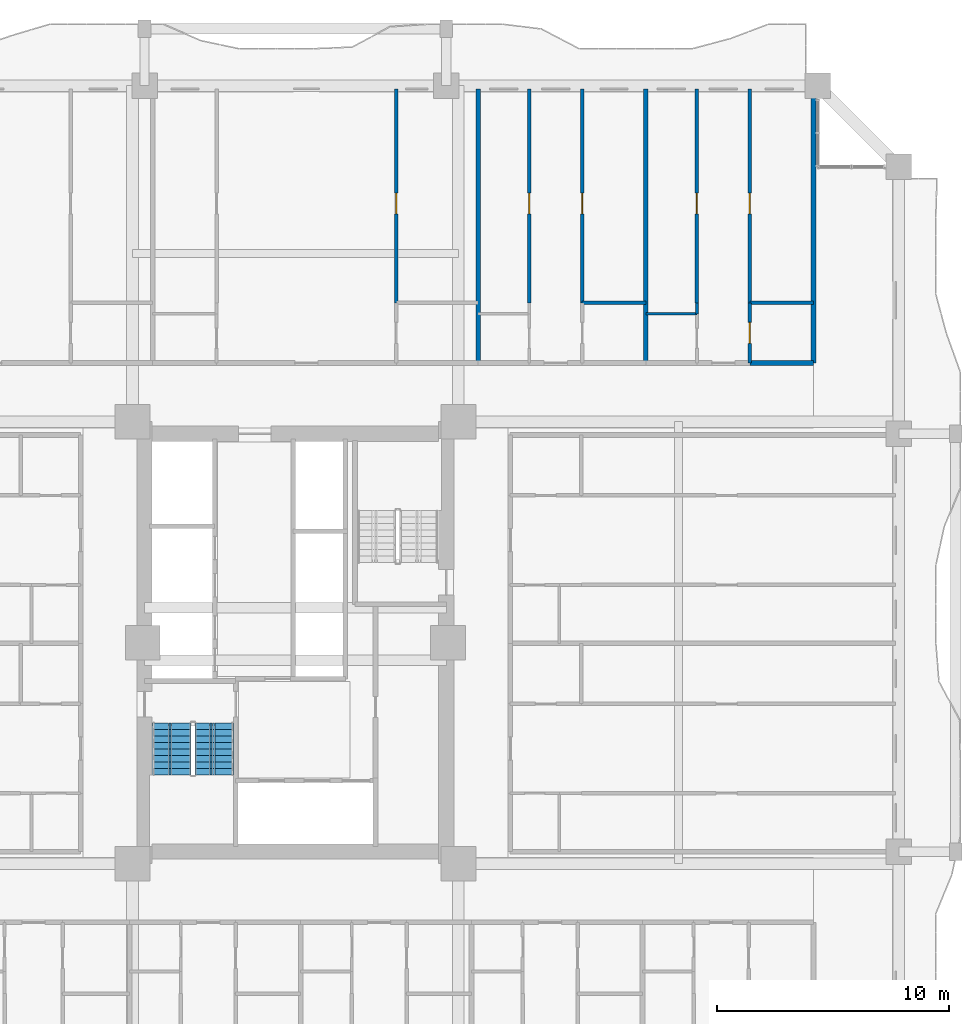
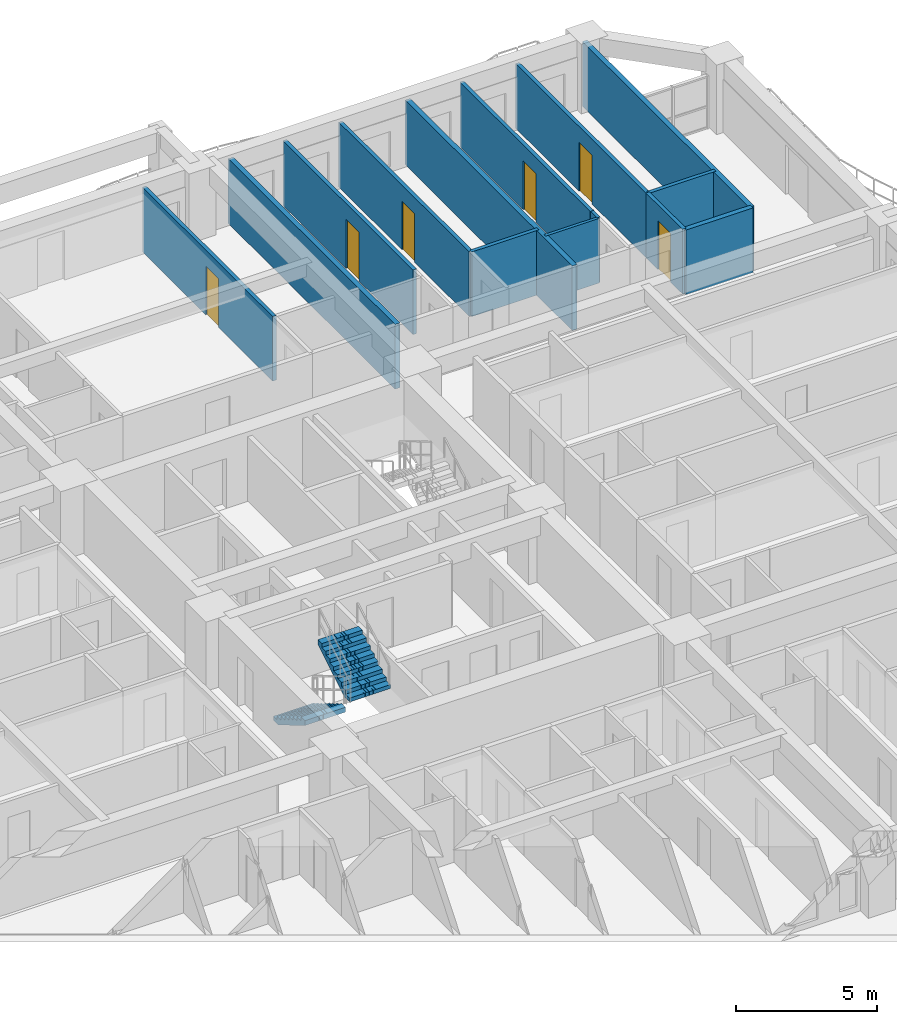
# One storey, part 21 of 28: 14 walls, 6 doors, 2 stair flights, 6 openings, 1 element without a shape of its own.
"""IFC4 building model written with IfcOpenShell, lengths in metres."""

from ifc_helpers import new_model, si_unit, direction, frame, frame_2d, origin, place, context, subcontext, project, spatial, polyline, rectangle, outline, extrude, source, transform, mapped, material, layer, layer_set, type_object, element, fill, aggregate, save


model = new_model("IFC4")

# Units and contexts
model_context = context("Model", 3, precision=1e-05, world=origin(), true_north=direction((0.0, 1.0)))
body_context = subcontext(model_context, "Body", "Model", "MODEL_VIEW")
ifc_project = project(units=[si_unit("LENGTHUNIT", "METRE"), si_unit("AREAUNIT", "SQUARE_METRE"), si_unit("VOLUMEUNIT", "CUBIC_METRE"), si_unit("PLANEANGLEUNIT", "RADIAN"), si_unit("MASSUNIT", "GRAM", prefix="KILO")], contexts=[model_context])

# Site, building, storey
site_placement = place(None, origin())
site = spatial("IfcSite", under=ifc_project, at=site_placement, CompositionType="ELEMENT")
building_placement = place(site_placement, origin())
building = spatial("IfcBuilding", under=site, at=building_placement, Name="Saelheon Loggia Tower", CompositionType="ELEMENT")
storey_placement = place(building_placement, frame((0.0, 0.0, 25.39990234375)))
storey = spatial("IfcBuildingStorey", under=building, at=storey_placement, Name="L07", CompositionType="ELEMENT", Elevation=25.39990234375)

# Wall, opening, door
ifc_material_1 = material(Name="Lightweight Autoclaved Aerated Concrete Block and Acoustic Gypsum", Category="concrete")
ifc_layer_1 = layer(ifc_material_1, 0.14990234375)
ifc_layer_set_1 = layer_set([ifc_layer_1], Name="Lightweight Autoclaved Aerated Concrete Block and Acoustic Gypsum")
wall_type_1 = type_object("IfcWallType", Name="Wall_Part_150", PredefinedType="PARTITIONING", material=ifc_layer_set_1)
wall_1_placement = place(storey_placement, frame((42.344482421875, 41.639892578125, 0.0), z_axis=(0.0, 0.0, 1.0), x_axis=(0.0, 1.0, 0.0)))
wall_1 = element("IfcWall", 1, at=wall_1_placement, inside=storey, type_object=wall_type_1, Name="L07 N Partition U25", PredefinedType="PARTITIONING", context=body_context, shape_type="SweptSolid", body=[
    extrude(rectangle(XDim=9.210205078125, YDim=0.14990234375, at=frame_2d((4.60498046875, 0.0))), origin(), (0.0, 0.0, 1.0), 2.7900390625),
])
opening_1_placement = place(wall_1_placement, frame((3.82861328125, 0.0, 0.0)))
opening_1 = element("IfcOpeningElement", 2, at=opening_1_placement, cuts=wall_1, Name="Opening D-IN2", PredefinedType="OPENING", context=body_context, shape_type="SweptSolid", body=[
    extrude(rectangle(XDim=0.89990234375, YDim=2.10009765625, at=frame_2d((0.449951171875, 1.050048828125))), frame((0.0, 0.0869140625, 0.0), z_axis=(0.0, -1.0, 0.0), x_axis=(1.0, 0.0, 0.0)), (0.0, 0.0, 1.0), 0.173828125),
])
ifc_material_2 = material(Name="Engineered Oak Flush Door", Category="timber")
door_type = type_object("IfcDoorType", Name="Door_Int_900", OperationType="NOTDEFINED", PredefinedType="DOOR", material=ifc_material_2)
shared_shape = source(origin(), body_context, "Body", "SweptSolid", [
    extrude(rectangle(XDim=0.89990234375, YDim=2.10009765625, at=frame_2d((0.449951171875, 1.050048828125))), frame((0.0, 0.02490234375, 0.0), z_axis=(0.0, -1.0, 0.0), x_axis=(1.0, 0.0, 0.0)), (0.0, 0.0, 1.0), 0.050048828125),
])
door_1_placement = place(opening_1_placement, origin())
door_1 = element("IfcDoor", 3, at=door_1_placement, inside=storey, type_object=door_type, Name="Unit U08 Bedroom 1 Door", OperationType="SINGLE_SWING_LEFT", OverallHeight=2.10009765625, OverallWidth=0.89990234375, PredefinedType="DOOR", context=body_context, shape_type="MappedRepresentation", body=[
    mapped(shared_shape, transform((0.0, 0.0, 0.0), scale=1.0)),
])
fill(opening_1, door_1)

# Wall
wall_2_placement = place(storey_placement, frame((50.351806640625, 41.639892578125, 0.0), z_axis=(0.0, 0.0, 1.0), x_axis=(1.0, 0.0, 0.0)))
element("IfcWall", 4, at=wall_2_placement, inside=storey, type_object=wall_type_1, Name="L07 N Partition V31", PredefinedType="PARTITIONING", context=body_context, shape_type="SweptSolid", body=[
    extrude(rectangle(XDim=2.744873046875, YDim=0.14990234375, at=frame_2d((1.37255859375, 0.0))), origin(), (0.0, 0.0, 1.0), 2.7900390625),
])

# Wall, opening, door
wall_3_placement = place(storey_placement, frame((48.073486328125, 41.639892578125, 0.0), z_axis=(0.0, 0.0, 1.0), x_axis=(0.0, 1.0, 0.0)))
wall_3 = element("IfcWall", 5, at=wall_3_placement, inside=storey, type_object=wall_type_1, Name="L07 N Partition U34", PredefinedType="PARTITIONING", context=body_context, shape_type="SweptSolid", body=[
    extrude(rectangle(XDim=9.210205078125, YDim=0.14990234375, at=frame_2d((4.60498046875, 0.0))), origin(), (0.0, 0.0, 1.0), 2.7900390625),
])
opening_2_placement = place(wall_3_placement, frame((3.82861328125, 0.0, 0.0)))
opening_2 = element("IfcOpeningElement", 6, at=opening_2_placement, cuts=wall_3, Name="Opening D-IN2", PredefinedType="OPENING", context=body_context, shape_type="SweptSolid", body=[
    extrude(rectangle(XDim=0.89990234375, YDim=2.10009765625, at=frame_2d((0.449951171875, 1.050048828125))), frame((0.0, 0.0869140625, 0.0), z_axis=(0.0, -1.0, 0.0), x_axis=(1.0, 0.0, 0.0)), (0.0, 0.0, 1.0), 0.173828125),
])
door_2_placement = place(opening_2_placement, origin())
door_2 = element("IfcDoor", 7, at=door_2_placement, inside=storey, type_object=door_type, Name="Unit U09 Kitchen Door", OperationType="SINGLE_SWING_RIGHT", OverallHeight=2.10009765625, OverallWidth=0.89990234375, PredefinedType="DOOR", context=body_context, shape_type="MappedRepresentation", body=[
    mapped(shared_shape, transform((0.0, 0.0, 0.0), scale=1.0)),
])
fill(opening_2, door_2)

wall_4_placement = place(storey_placement, frame((50.351806640625, 41.639892578125, 0.0), z_axis=(0.0, 0.0, 1.0), x_axis=(0.0, 1.0, 0.0)))
wall_4 = element("IfcWall", 8, at=wall_4_placement, inside=storey, type_object=wall_type_1, Name="L07 N Partition U36", PredefinedType="PARTITIONING", context=body_context, shape_type="SweptSolid", body=[
    extrude(rectangle(XDim=9.210205078125, YDim=0.14990234375, at=frame_2d((4.60498046875, 0.0))), origin(), (0.0, 0.0, 1.0), 2.7900390625),
])
opening_3_placement = place(wall_4_placement, frame((3.82861328125, 0.0, 0.0)))
opening_3 = element("IfcOpeningElement", 9, at=opening_3_placement, cuts=wall_4, Name="Opening D-IN2", PredefinedType="OPENING", context=body_context, shape_type="SweptSolid", body=[
    extrude(rectangle(XDim=0.89990234375, YDim=2.10009765625, at=frame_2d((0.449951171875, 1.050048828125))), frame((0.0, 0.0869140625, 0.0), z_axis=(0.0, -1.0, 0.0), x_axis=(1.0, 0.0, 0.0)), (0.0, 0.0, 1.0), 0.173828125),
])
door_3_placement = place(opening_3_placement, origin())
door_3 = element("IfcDoor", 10, at=door_3_placement, inside=storey, type_object=door_type, Name="Unit U09 Bedroom 1 Door", OperationType="SINGLE_SWING_RIGHT", OverallHeight=2.10009765625, OverallWidth=0.89990234375, PredefinedType="DOOR", context=body_context, shape_type="MappedRepresentation", body=[
    mapped(shared_shape, transform((0.0, 0.0, 0.0), scale=1.0)),
])
fill(opening_3, door_3)

# Wall
wall_5_placement = place(storey_placement, frame((57.5751953125, 41.639892578125, 0.0), z_axis=(0.0, 0.0, 1.0), x_axis=(1.0, 0.0, 0.0)))
element("IfcWall", 11, at=wall_5_placement, inside=storey, type_object=wall_type_1, Name="L07 N Partition V42", PredefinedType="PARTITIONING", context=body_context, shape_type="SweptSolid", body=[
    extrude(rectangle(XDim=2.744873046875, YDim=0.14990234375, at=frame_2d((1.37255859375, 0.0))), origin(), (0.0, 0.0, 1.0), 2.7900390625),
])

# Wall, opening, door
wall_6_placement = place(storey_placement, frame((55.296630859375, 41.639892578125, 0.0), z_axis=(0.0, 0.0, 1.0), x_axis=(0.0, 1.0, 0.0)))
wall_6 = element("IfcWall", 12, at=wall_6_placement, inside=storey, type_object=wall_type_1, Name="L07 N Partition U45", PredefinedType="PARTITIONING", context=body_context, shape_type="SweptSolid", body=[
    extrude(rectangle(XDim=9.210205078125, YDim=0.14990234375, at=frame_2d((4.60498046875, 0.0))), origin(), (0.0, 0.0, 1.0), 2.7900390625),
])
opening_4_placement = place(wall_6_placement, frame((3.82861328125, 0.0, 0.0)))
opening_4 = element("IfcOpeningElement", 13, at=opening_4_placement, cuts=wall_6, Name="Opening D-IN2", PredefinedType="OPENING", context=body_context, shape_type="SweptSolid", body=[
    extrude(rectangle(XDim=0.89990234375, YDim=2.10009765625, at=frame_2d((0.449951171875, 1.050048828125))), frame((0.0, 0.0869140625, 0.0), z_axis=(0.0, -1.0, 0.0), x_axis=(1.0, 0.0, 0.0)), (0.0, 0.0, 1.0), 0.173828125),
])
door_4_placement = place(opening_4_placement, origin())
door_4 = element("IfcDoor", 14, at=door_4_placement, inside=storey, type_object=door_type, Name="Unit U10 Kitchen Door", OperationType="SINGLE_SWING_LEFT", OverallHeight=2.10009765625, OverallWidth=0.89990234375, PredefinedType="DOOR", context=body_context, shape_type="MappedRepresentation", body=[
    mapped(shared_shape, transform((0.0, 0.0, 0.0), scale=1.0)),
])
fill(opening_4, door_4)

wall_7_placement = place(storey_placement, frame((57.5751953125, 39.050048828125, 0.0), z_axis=(0.0, 0.0, 1.0), x_axis=(0.0, 1.0, 0.0)))
wall_7 = element("IfcWall", 15, at=wall_7_placement, inside=storey, type_object=wall_type_1, Name="L07 N Partition U46", PredefinedType="PARTITIONING", context=body_context, shape_type="SweptSolid", body=[
    extrude(rectangle(XDim=2.58984375, YDim=0.14990234375, at=frame_2d((1.294921875, 0.0))), origin(), (0.0, 0.0, 1.0), 2.7900390625),
])
opening_5_placement = place(wall_7_placement, frame((0.844970703125, 0.0, 0.0)))
opening_5 = element("IfcOpeningElement", 16, at=opening_5_placement, cuts=wall_7, Name="Opening D-IN2", PredefinedType="OPENING", context=body_context, shape_type="SweptSolid", body=[
    extrude(rectangle(XDim=0.89990234375, YDim=2.10009765625, at=frame_2d((0.449951171875, 1.050048828125))), frame((0.0, 0.0869140625, 0.0), z_axis=(0.0, -1.0, 0.0), x_axis=(1.0, 0.0, 0.0)), (0.0, 0.0, 1.0), 0.173828125),
])
door_5_placement = place(opening_5_placement, origin())
door_5 = element("IfcDoor", 17, at=door_5_placement, inside=storey, type_object=door_type, Name="Unit U10 Dressing Closet Door", OperationType="SINGLE_SWING_RIGHT", OverallHeight=2.10009765625, OverallWidth=0.89990234375, PredefinedType="DOOR", context=body_context, shape_type="MappedRepresentation", body=[
    mapped(shared_shape, transform((0.0, 0.0, 0.0), scale=1.0)),
])
fill(opening_5, door_5)

wall_8_placement = place(storey_placement, frame((57.5751953125, 41.639892578125, 0.0), z_axis=(0.0, 0.0, 1.0), x_axis=(0.0, 1.0, 0.0)))
wall_8 = element("IfcWall", 18, at=wall_8_placement, inside=storey, type_object=wall_type_1, Name="L07 N Partition U47", PredefinedType="PARTITIONING", context=body_context, shape_type="SweptSolid", body=[
    extrude(rectangle(XDim=9.210205078125, YDim=0.14990234375, at=frame_2d((4.60498046875, 0.0))), origin(), (0.0, 0.0, 1.0), 2.7900390625),
])
opening_6_placement = place(wall_8_placement, frame((3.82861328125, 0.0, 0.0)))
opening_6 = element("IfcOpeningElement", 19, at=opening_6_placement, cuts=wall_8, Name="Opening D-IN2", PredefinedType="OPENING", context=body_context, shape_type="SweptSolid", body=[
    extrude(rectangle(XDim=0.89990234375, YDim=2.10009765625, at=frame_2d((0.449951171875, 1.050048828125))), frame((0.0, 0.0869140625, 0.0), z_axis=(0.0, -1.0, 0.0), x_axis=(1.0, 0.0, 0.0)), (0.0, 0.0, 1.0), 0.173828125),
])
door_6_placement = place(opening_6_placement, origin())
door_6 = element("IfcDoor", 20, at=door_6_placement, inside=storey, type_object=door_type, Name="Unit U10 Bedroom 1 Door", OperationType="SINGLE_SWING_LEFT", OverallHeight=2.10009765625, OverallWidth=0.89990234375, PredefinedType="DOOR", context=body_context, shape_type="MappedRepresentation", body=[
    mapped(shared_shape, transform((0.0, 0.0, 0.0), scale=1.0)),
])
fill(opening_6, door_6)

# Walls
ifc_material_3 = material(Name="Double Acoustic Stud and Fireboard Partition", Category="gypsum")
ifc_layer_2 = layer(ifc_material_3, 0.199951171875)
ifc_layer_set_2 = layer_set([ifc_layer_2], Name="Double Acoustic Stud and Fireboard Partition")
wall_type_2 = type_object("IfcWallType", Name="Wall_Party_200", PredefinedType="PARTITIONING", material=ifc_layer_set_2)
for number, where, z_axis, x_axis, name in (
    (21, (60.320068359375, 39.050048828125, 0.0), (0.0, 0.0, 1.0), (0.0, 1.0, 0.0), "L07 N Partition U02"),
    (22, (45.873291015625, 39.050048828125, 0.0), (0.0, 0.0, 1.0), (0.0, 1.0, 0.0), "L07 N Partition U26"),
    (23, (53.0966796875, 39.050048828125, 0.0), (0.0, 0.0, 1.0), (0.0, 1.0, 0.0), "L07 N Partition U37"),
):
    element("IfcWall", number, at=place(storey_placement, frame(where, z_axis=z_axis, x_axis=x_axis)), inside=storey, type_object=wall_type_2, Name=name, PredefinedType="PARTITIONING", context=body_context, shape_type="SweptSolid", body=[
        extrude(rectangle(XDim=11.800048828125, YDim=0.199951171875, at=frame_2d((5.89990234375, 0.0))), origin(), (0.0, 0.0, 1.0), 2.7900390625),
    ])
wall_9_placement = place(storey_placement, frame((57.5751953125, 39.050048828125, 0.0), z_axis=(0.0, 0.0, 1.0), x_axis=(1.0, 0.0, 0.0)))
element("IfcWall", 24, at=wall_9_placement, inside=storey, type_object=wall_type_2, Name="L07 N Partition V40", PredefinedType="PARTITIONING", context=body_context, shape_type="SweptSolid", body=[
    extrude(rectangle(XDim=2.744873046875, YDim=0.199951171875, at=frame_2d((1.37255859375, 0.0))), origin(), (0.0, 0.0, 1.0), 2.7900390625),
])
ifc_material_4 = material(Name="Moisture-Resistant Cement Board Partition", Category="gypsum")
ifc_layer_3 = layer(ifc_material_4, 0.1201171875)
ifc_layer_set_3 = layer_set([ifc_layer_3], Name="Moisture-Resistant Cement Board Partition")
wall_type_3 = type_object("IfcWallType", Name="Wall_WetPart_120", PredefinedType="PARTITIONING", material=ifc_layer_set_3)
wall_10_placement = place(storey_placement, frame((53.0966796875, 41.169921875, 0.0), z_axis=(0.0, 0.0, 1.0), x_axis=(1.0, 0.0, 0.0)))
element("IfcWall", 25, at=wall_10_placement, inside=storey, type_object=wall_type_3, Name="L07 N Partition V41", PredefinedType="PARTITIONING", context=body_context, shape_type="SweptSolid", body=[
    extrude(rectangle(XDim=2.199951171875, YDim=0.1201171875, at=frame_2d((1.10009765625, 0.0))), origin(), (0.0, 0.0, 1.0), 2.7900390625),
])
wall_11_placement = place(storey_placement, frame((55.296630859375, 41.169921875, 0.0), z_axis=(0.0, 0.0, 1.0), x_axis=(0.0, 1.0, 0.0)))
element("IfcWall", 26, at=wall_11_placement, inside=storey, type_object=wall_type_3, Name="L07 N Partition U44", PredefinedType="PARTITIONING", context=body_context, shape_type="SweptSolid", body=[
    extrude(rectangle(XDim=0.469970703125, YDim=0.1201171875, at=frame_2d((0.23486328125, 0.0))), origin(), (0.0, 0.0, 1.0), 2.7900390625),
])

# Stair, stair flights
ifc_material_5 = material(Name="Concrete C40/50", Category="concrete")
stair_type = type_object("IfcStairType", Name="Stair_Escape_Core", PredefinedType="HALF_TURN_STAIR", material=ifc_material_5)
stair_placement = place(storey_placement, origin())
stair = element("IfcStair", 27, at=stair_placement, inside=storey, type_object=stair_type, Name="L07 Special Escape Stair ST1", PredefinedType="HALF_TURN_STAIR")
stair_flight_type = type_object("IfcStairFlightType", Name="StairFlight_Tower_1660", PredefinedType="STRAIGHT", material=ifc_material_5)
stair_flight_1_placement = place(storey_placement, frame((32.679931640625, 23.550048828125, 0.0), z_axis=(0.0, 0.0, 1.0), x_axis=(0.0, -1.0, 0.0)))
stair_flight_1 = element("IfcStairFlight", 28, at=stair_flight_1_placement, type_object=stair_flight_type, Name="ST1 flight 1", NumberOfRisers=9, NumberOfTreads=8, PredefinedType="STRAIGHT", RiserHeight=0.166666667, TreadLength=0.28, context=body_context, shape_type="SweptSolid", body=[
    extrude(outline(polyline([(0.0, 0.0), (0.0, 0.166748046875), (0.280029296875, 0.166748046875), (0.280029296875, 0.333251953125), (0.56005859375, 0.333251953125), (0.56005859375, 0.5), (0.840087890625, 0.5), (0.840087890625, 0.666748046875), (1.1201171875, 0.666748046875), (1.1201171875, 0.833251953125), (1.39990234375, 0.833251953125), (1.39990234375, 1.0), (1.679931640625, 1.0), (1.679931640625, 1.166748046875), (1.9599609375, 1.166748046875), (1.9599609375, 1.333251953125), (2.239990234375, 1.333251953125), (2.239990234375, 1.5), (2.239990234375, 1.1240234375), (0.351806640625, 0.0), (0.0, 0.0)])), frame((0.0, -0.2490234375, 0.0), z_axis=(0.0, -1.0, 0.0), x_axis=(1.0, 0.0, 0.0)), (0.0, 0.0, 1.0), 0.5810546875),
    extrude(outline(polyline([(0.0, 0.0), (0.0, 0.166748046875), (0.280029296875, 0.166748046875), (0.280029296875, 0.333251953125), (0.56005859375, 0.333251953125), (0.56005859375, 0.5), (0.840087890625, 0.5), (0.840087890625, 0.666748046875), (1.1201171875, 0.666748046875), (1.1201171875, 0.833251953125), (1.39990234375, 0.833251953125), (1.39990234375, 1.0), (1.679931640625, 1.0), (1.679931640625, 1.166748046875), (1.9599609375, 1.166748046875), (1.9599609375, 1.333251953125), (2.239990234375, 1.333251953125), (2.239990234375, 1.5), (2.239990234375, 1.1240234375), (0.351806640625, 0.0), (0.0, 0.0)])), frame((0.0, -0.194091796875, 0.0), z_axis=(0.0, -1.0, 0.0), x_axis=(1.0, 0.0, 0.0)), (0.0, 0.0, 1.0), 0.0498046875),
    extrude(outline(polyline([(0.0, 0.0), (0.0, 0.166748046875), (0.280029296875, 0.166748046875), (0.280029296875, 0.333251953125), (0.56005859375, 0.333251953125), (0.56005859375, 0.5), (0.840087890625, 0.5), (0.840087890625, 0.666748046875), (1.1201171875, 0.666748046875), (1.1201171875, 0.833251953125), (1.39990234375, 0.833251953125), (1.39990234375, 1.0), (1.679931640625, 1.0), (1.679931640625, 1.166748046875), (1.9599609375, 1.166748046875), (1.9599609375, 1.333251953125), (2.239990234375, 1.333251953125), (2.239990234375, 1.5), (2.239990234375, 1.1240234375), (0.351806640625, 0.0), (0.0, 0.0)])), frame((0.0, -0.139404296875, 0.0), z_axis=(0.0, -1.0, 0.0), x_axis=(1.0, 0.0, 0.0)), (0.0, 0.0, 1.0), 0.0498046875),
    extrude(outline(polyline([(0.0, 0.0), (0.0, 0.166748046875), (0.280029296875, 0.166748046875), (0.280029296875, 0.333251953125), (0.56005859375, 0.333251953125), (0.56005859375, 0.5), (0.840087890625, 0.5), (0.840087890625, 0.666748046875), (1.1201171875, 0.666748046875), (1.1201171875, 0.833251953125), (1.39990234375, 0.833251953125), (1.39990234375, 1.0), (1.679931640625, 1.0), (1.679931640625, 1.166748046875), (1.9599609375, 1.166748046875), (1.9599609375, 1.333251953125), (2.239990234375, 1.333251953125), (2.239990234375, 1.5), (2.239990234375, 1.1240234375), (0.351806640625, 0.0), (0.0, 0.0)])), frame((0.0, -0.084716796875, 0.0), z_axis=(0.0, -1.0, 0.0), x_axis=(1.0, 0.0, 0.0)), (0.0, 0.0, 1.0), 0.0498046875),
    extrude(outline(polyline([(0.0, 0.0), (0.0, 0.166748046875), (0.280029296875, 0.166748046875), (0.280029296875, 0.333251953125), (0.56005859375, 0.333251953125), (0.56005859375, 0.5), (0.840087890625, 0.5), (0.840087890625, 0.666748046875), (1.1201171875, 0.666748046875), (1.1201171875, 0.833251953125), (1.39990234375, 0.833251953125), (1.39990234375, 1.0), (1.679931640625, 1.0), (1.679931640625, 1.166748046875), (1.9599609375, 1.166748046875), (1.9599609375, 1.333251953125), (2.239990234375, 1.333251953125), (2.239990234375, 1.5), (2.239990234375, 1.1240234375), (0.351806640625, 0.0), (0.0, 0.0)])), frame((0.0, -0.02978515625, 0.0), z_axis=(0.0, -1.0, 0.0), x_axis=(1.0, 0.0, 0.0)), (0.0, 0.0, 1.0), 0.0498046875),
    extrude(outline(polyline([(0.0, 0.0), (0.0, 0.166748046875), (0.280029296875, 0.166748046875), (0.280029296875, 0.333251953125), (0.56005859375, 0.333251953125), (0.56005859375, 0.5), (0.840087890625, 0.5), (0.840087890625, 0.666748046875), (1.1201171875, 0.666748046875), (1.1201171875, 0.833251953125), (1.39990234375, 0.833251953125), (1.39990234375, 1.0), (1.679931640625, 1.0), (1.679931640625, 1.166748046875), (1.9599609375, 1.166748046875), (1.9599609375, 1.333251953125), (2.239990234375, 1.333251953125), (2.239990234375, 1.5), (2.239990234375, 1.1240234375), (0.351806640625, 0.0), (0.0, 0.0)])), frame((0.0, 0.02490234375, 0.0), z_axis=(0.0, -1.0, 0.0), x_axis=(1.0, 0.0, 0.0)), (0.0, 0.0, 1.0), 0.0498046875),
    extrude(outline(polyline([(0.0, 0.0), (0.0, 0.166748046875), (0.280029296875, 0.166748046875), (0.280029296875, 0.333251953125), (0.56005859375, 0.333251953125), (0.56005859375, 0.5), (0.840087890625, 0.5), (0.840087890625, 0.666748046875), (1.1201171875, 0.666748046875), (1.1201171875, 0.833251953125), (1.39990234375, 0.833251953125), (1.39990234375, 1.0), (1.679931640625, 1.0), (1.679931640625, 1.166748046875), (1.9599609375, 1.166748046875), (1.9599609375, 1.333251953125), (2.239990234375, 1.333251953125), (2.239990234375, 1.5), (2.239990234375, 1.1240234375), (0.351806640625, 0.0), (0.0, 0.0)])), frame((0.0, 0.07958984375, 0.0), z_axis=(0.0, -1.0, 0.0), x_axis=(1.0, 0.0, 0.0)), (0.0, 0.0, 1.0), 0.0498046875),
    extrude(outline(polyline([(0.0, 0.0), (0.0, 0.166748046875), (0.280029296875, 0.166748046875), (0.280029296875, 0.333251953125), (0.56005859375, 0.333251953125), (0.56005859375, 0.5), (0.840087890625, 0.5), (0.840087890625, 0.666748046875), (1.1201171875, 0.666748046875), (1.1201171875, 0.833251953125), (1.39990234375, 0.833251953125), (1.39990234375, 1.0), (1.679931640625, 1.0), (1.679931640625, 1.166748046875), (1.9599609375, 1.166748046875), (1.9599609375, 1.333251953125), (2.239990234375, 1.333251953125), (2.239990234375, 1.5), (2.239990234375, 1.1240234375), (0.351806640625, 0.0), (0.0, 0.0)])), frame((0.0, 0.134521484375, 0.0), z_axis=(0.0, -1.0, 0.0), x_axis=(1.0, 0.0, 0.0)), (0.0, 0.0, 1.0), 0.0498046875),
    extrude(outline(polyline([(0.0, 0.0), (0.0, 0.166748046875), (0.280029296875, 0.166748046875), (0.280029296875, 0.333251953125), (0.56005859375, 0.333251953125), (0.56005859375, 0.5), (0.840087890625, 0.5), (0.840087890625, 0.666748046875), (1.1201171875, 0.666748046875), (1.1201171875, 0.833251953125), (1.39990234375, 0.833251953125), (1.39990234375, 1.0), (1.679931640625, 1.0), (1.679931640625, 1.166748046875), (1.9599609375, 1.166748046875), (1.9599609375, 1.333251953125), (2.239990234375, 1.333251953125), (2.239990234375, 1.5), (2.239990234375, 1.1240234375), (0.351806640625, 0.0), (0.0, 0.0)])), frame((0.0, 0.189208984375, 0.0), z_axis=(0.0, -1.0, 0.0), x_axis=(1.0, 0.0, 0.0)), (0.0, 0.0, 1.0), 0.0498046875),
    extrude(outline(polyline([(0.0, 0.0), (0.0, 0.166748046875), (0.280029296875, 0.166748046875), (0.280029296875, 0.333251953125), (0.56005859375, 0.333251953125), (0.56005859375, 0.5), (0.840087890625, 0.5), (0.840087890625, 0.666748046875), (1.1201171875, 0.666748046875), (1.1201171875, 0.833251953125), (1.39990234375, 0.833251953125), (1.39990234375, 1.0), (1.679931640625, 1.0), (1.679931640625, 1.166748046875), (1.9599609375, 1.166748046875), (1.9599609375, 1.333251953125), (2.239990234375, 1.333251953125), (2.239990234375, 1.5), (2.239990234375, 1.1240234375), (0.351806640625, 0.0), (0.0, 0.0)])), frame((0.0, 0.243896484375, 0.0), z_axis=(0.0, -1.0, 0.0), x_axis=(1.0, 0.0, 0.0)), (0.0, 0.0, 1.0), 0.0498046875),
    extrude(outline(polyline([(0.0, 0.0), (0.0, 0.166748046875), (0.280029296875, 0.166748046875), (0.280029296875, 0.333251953125), (0.56005859375, 0.333251953125), (0.56005859375, 0.5), (0.840087890625, 0.5), (0.840087890625, 0.666748046875), (1.1201171875, 0.666748046875), (1.1201171875, 0.833251953125), (1.39990234375, 0.833251953125), (1.39990234375, 1.0), (1.679931640625, 1.0), (1.679931640625, 1.166748046875), (1.9599609375, 1.166748046875), (1.9599609375, 1.333251953125), (2.239990234375, 1.333251953125), (2.239990234375, 1.5), (2.239990234375, 1.1240234375), (0.351806640625, 0.0), (0.0, 0.0)])), frame((0.0, 0.830078125, 0.0), z_axis=(0.0, -1.0, 0.0), x_axis=(1.0, 0.0, 0.0)), (0.0, 0.0, 1.0), 0.5810546875),
])
stair_flight_2_placement = place(storey_placement, frame((34.5, 21.31005859375, 1.5), z_axis=(0.0, 0.0, 1.0), x_axis=(0.0, 1.0, 0.0)))
stair_flight_2 = element("IfcStairFlight", 29, at=stair_flight_2_placement, type_object=stair_flight_type, Name="ST1 flight 2", NumberOfRisers=9, NumberOfTreads=8, PredefinedType="STRAIGHT", RiserHeight=0.166666667, TreadLength=0.28, context=body_context, shape_type="SweptSolid", body=[
    extrude(outline(polyline([(0.0, 0.0), (0.0, 0.166748046875), (0.280029296875, 0.166748046875), (0.280029296875, 0.333251953125), (0.56005859375, 0.333251953125), (0.56005859375, 0.5), (0.840087890625, 0.5), (0.840087890625, 0.666748046875), (1.1201171875, 0.666748046875), (1.1201171875, 0.833251953125), (1.39990234375, 0.833251953125), (1.39990234375, 1.0), (1.679931640625, 1.0), (1.679931640625, 1.166748046875), (1.9599609375, 1.166748046875), (1.9599609375, 1.333251953125), (2.239990234375, 1.333251953125), (2.239990234375, 1.5), (2.239990234375, 1.1240234375), (0.351806640625, 0.0), (0.0, 0.0)])), frame((0.0, -0.2490234375, 0.0), z_axis=(0.0, -1.0, 0.0), x_axis=(1.0, 0.0, 0.0)), (0.0, 0.0, 1.0), 0.5810546875),
    extrude(outline(polyline([(0.0, 0.0), (0.0, 0.166748046875), (0.280029296875, 0.166748046875), (0.280029296875, 0.333251953125), (0.56005859375, 0.333251953125), (0.56005859375, 0.5), (0.840087890625, 0.5), (0.840087890625, 0.666748046875), (1.1201171875, 0.666748046875), (1.1201171875, 0.833251953125), (1.39990234375, 0.833251953125), (1.39990234375, 1.0), (1.679931640625, 1.0), (1.679931640625, 1.166748046875), (1.9599609375, 1.166748046875), (1.9599609375, 1.333251953125), (2.239990234375, 1.333251953125), (2.239990234375, 1.5), (2.239990234375, 1.1240234375), (0.351806640625, 0.0), (0.0, 0.0)])), frame((0.0, -0.194091796875, 0.0), z_axis=(0.0, -1.0, 0.0), x_axis=(1.0, 0.0, 0.0)), (0.0, 0.0, 1.0), 0.0498046875),
    extrude(outline(polyline([(0.0, 0.0), (0.0, 0.166748046875), (0.280029296875, 0.166748046875), (0.280029296875, 0.333251953125), (0.56005859375, 0.333251953125), (0.56005859375, 0.5), (0.840087890625, 0.5), (0.840087890625, 0.666748046875), (1.1201171875, 0.666748046875), (1.1201171875, 0.833251953125), (1.39990234375, 0.833251953125), (1.39990234375, 1.0), (1.679931640625, 1.0), (1.679931640625, 1.166748046875), (1.9599609375, 1.166748046875), (1.9599609375, 1.333251953125), (2.239990234375, 1.333251953125), (2.239990234375, 1.5), (2.239990234375, 1.1240234375), (0.351806640625, 0.0), (0.0, 0.0)])), frame((0.0, -0.139404296875, 0.0), z_axis=(0.0, -1.0, 0.0), x_axis=(1.0, 0.0, 0.0)), (0.0, 0.0, 1.0), 0.0498046875),
    extrude(outline(polyline([(0.0, 0.0), (0.0, 0.166748046875), (0.280029296875, 0.166748046875), (0.280029296875, 0.333251953125), (0.56005859375, 0.333251953125), (0.56005859375, 0.5), (0.840087890625, 0.5), (0.840087890625, 0.666748046875), (1.1201171875, 0.666748046875), (1.1201171875, 0.833251953125), (1.39990234375, 0.833251953125), (1.39990234375, 1.0), (1.679931640625, 1.0), (1.679931640625, 1.166748046875), (1.9599609375, 1.166748046875), (1.9599609375, 1.333251953125), (2.239990234375, 1.333251953125), (2.239990234375, 1.5), (2.239990234375, 1.1240234375), (0.351806640625, 0.0), (0.0, 0.0)])), frame((0.0, -0.084716796875, 0.0), z_axis=(0.0, -1.0, 0.0), x_axis=(1.0, 0.0, 0.0)), (0.0, 0.0, 1.0), 0.0498046875),
    extrude(outline(polyline([(0.0, 0.0), (0.0, 0.166748046875), (0.280029296875, 0.166748046875), (0.280029296875, 0.333251953125), (0.56005859375, 0.333251953125), (0.56005859375, 0.5), (0.840087890625, 0.5), (0.840087890625, 0.666748046875), (1.1201171875, 0.666748046875), (1.1201171875, 0.833251953125), (1.39990234375, 0.833251953125), (1.39990234375, 1.0), (1.679931640625, 1.0), (1.679931640625, 1.166748046875), (1.9599609375, 1.166748046875), (1.9599609375, 1.333251953125), (2.239990234375, 1.333251953125), (2.239990234375, 1.5), (2.239990234375, 1.1240234375), (0.351806640625, 0.0), (0.0, 0.0)])), frame((0.0, -0.02978515625, 0.0), z_axis=(0.0, -1.0, 0.0), x_axis=(1.0, 0.0, 0.0)), (0.0, 0.0, 1.0), 0.0498046875),
    extrude(outline(polyline([(0.0, 0.0), (0.0, 0.166748046875), (0.280029296875, 0.166748046875), (0.280029296875, 0.333251953125), (0.56005859375, 0.333251953125), (0.56005859375, 0.5), (0.840087890625, 0.5), (0.840087890625, 0.666748046875), (1.1201171875, 0.666748046875), (1.1201171875, 0.833251953125), (1.39990234375, 0.833251953125), (1.39990234375, 1.0), (1.679931640625, 1.0), (1.679931640625, 1.166748046875), (1.9599609375, 1.166748046875), (1.9599609375, 1.333251953125), (2.239990234375, 1.333251953125), (2.239990234375, 1.5), (2.239990234375, 1.1240234375), (0.351806640625, 0.0), (0.0, 0.0)])), frame((0.0, 0.02490234375, 0.0), z_axis=(0.0, -1.0, 0.0), x_axis=(1.0, 0.0, 0.0)), (0.0, 0.0, 1.0), 0.0498046875),
    extrude(outline(polyline([(0.0, 0.0), (0.0, 0.166748046875), (0.280029296875, 0.166748046875), (0.280029296875, 0.333251953125), (0.56005859375, 0.333251953125), (0.56005859375, 0.5), (0.840087890625, 0.5), (0.840087890625, 0.666748046875), (1.1201171875, 0.666748046875), (1.1201171875, 0.833251953125), (1.39990234375, 0.833251953125), (1.39990234375, 1.0), (1.679931640625, 1.0), (1.679931640625, 1.166748046875), (1.9599609375, 1.166748046875), (1.9599609375, 1.333251953125), (2.239990234375, 1.333251953125), (2.239990234375, 1.5), (2.239990234375, 1.1240234375), (0.351806640625, 0.0), (0.0, 0.0)])), frame((0.0, 0.07958984375, 0.0), z_axis=(0.0, -1.0, 0.0), x_axis=(1.0, 0.0, 0.0)), (0.0, 0.0, 1.0), 0.0498046875),
    extrude(outline(polyline([(0.0, 0.0), (0.0, 0.166748046875), (0.280029296875, 0.166748046875), (0.280029296875, 0.333251953125), (0.56005859375, 0.333251953125), (0.56005859375, 0.5), (0.840087890625, 0.5), (0.840087890625, 0.666748046875), (1.1201171875, 0.666748046875), (1.1201171875, 0.833251953125), (1.39990234375, 0.833251953125), (1.39990234375, 1.0), (1.679931640625, 1.0), (1.679931640625, 1.166748046875), (1.9599609375, 1.166748046875), (1.9599609375, 1.333251953125), (2.239990234375, 1.333251953125), (2.239990234375, 1.5), (2.239990234375, 1.1240234375), (0.351806640625, 0.0), (0.0, 0.0)])), frame((0.0, 0.134521484375, 0.0), z_axis=(0.0, -1.0, 0.0), x_axis=(1.0, 0.0, 0.0)), (0.0, 0.0, 1.0), 0.0498046875),
    extrude(outline(polyline([(0.0, 0.0), (0.0, 0.166748046875), (0.280029296875, 0.166748046875), (0.280029296875, 0.333251953125), (0.56005859375, 0.333251953125), (0.56005859375, 0.5), (0.840087890625, 0.5), (0.840087890625, 0.666748046875), (1.1201171875, 0.666748046875), (1.1201171875, 0.833251953125), (1.39990234375, 0.833251953125), (1.39990234375, 1.0), (1.679931640625, 1.0), (1.679931640625, 1.166748046875), (1.9599609375, 1.166748046875), (1.9599609375, 1.333251953125), (2.239990234375, 1.333251953125), (2.239990234375, 1.5), (2.239990234375, 1.1240234375), (0.351806640625, 0.0), (0.0, 0.0)])), frame((0.0, 0.189208984375, 0.0), z_axis=(0.0, -1.0, 0.0), x_axis=(1.0, 0.0, 0.0)), (0.0, 0.0, 1.0), 0.0498046875),
    extrude(outline(polyline([(0.0, 0.0), (0.0, 0.166748046875), (0.280029296875, 0.166748046875), (0.280029296875, 0.333251953125), (0.56005859375, 0.333251953125), (0.56005859375, 0.5), (0.840087890625, 0.5), (0.840087890625, 0.666748046875), (1.1201171875, 0.666748046875), (1.1201171875, 0.833251953125), (1.39990234375, 0.833251953125), (1.39990234375, 1.0), (1.679931640625, 1.0), (1.679931640625, 1.166748046875), (1.9599609375, 1.166748046875), (1.9599609375, 1.333251953125), (2.239990234375, 1.333251953125), (2.239990234375, 1.5), (2.239990234375, 1.1240234375), (0.351806640625, 0.0), (0.0, 0.0)])), frame((0.0, 0.243896484375, 0.0), z_axis=(0.0, -1.0, 0.0), x_axis=(1.0, 0.0, 0.0)), (0.0, 0.0, 1.0), 0.0498046875),
    extrude(outline(polyline([(0.0, 0.0), (0.0, 0.166748046875), (0.280029296875, 0.166748046875), (0.280029296875, 0.333251953125), (0.56005859375, 0.333251953125), (0.56005859375, 0.5), (0.840087890625, 0.5), (0.840087890625, 0.666748046875), (1.1201171875, 0.666748046875), (1.1201171875, 0.833251953125), (1.39990234375, 0.833251953125), (1.39990234375, 1.0), (1.679931640625, 1.0), (1.679931640625, 1.166748046875), (1.9599609375, 1.166748046875), (1.9599609375, 1.333251953125), (2.239990234375, 1.333251953125), (2.239990234375, 1.5), (2.239990234375, 1.1240234375), (0.351806640625, 0.0), (0.0, 0.0)])), frame((0.0, 0.830078125, 0.0), z_axis=(0.0, -1.0, 0.0), x_axis=(1.0, 0.0, 0.0)), (0.0, 0.0, 1.0), 0.5810546875),
])
aggregate(stair, [stair_flight_1, stair_flight_2])

save(model, "model.ifc")
